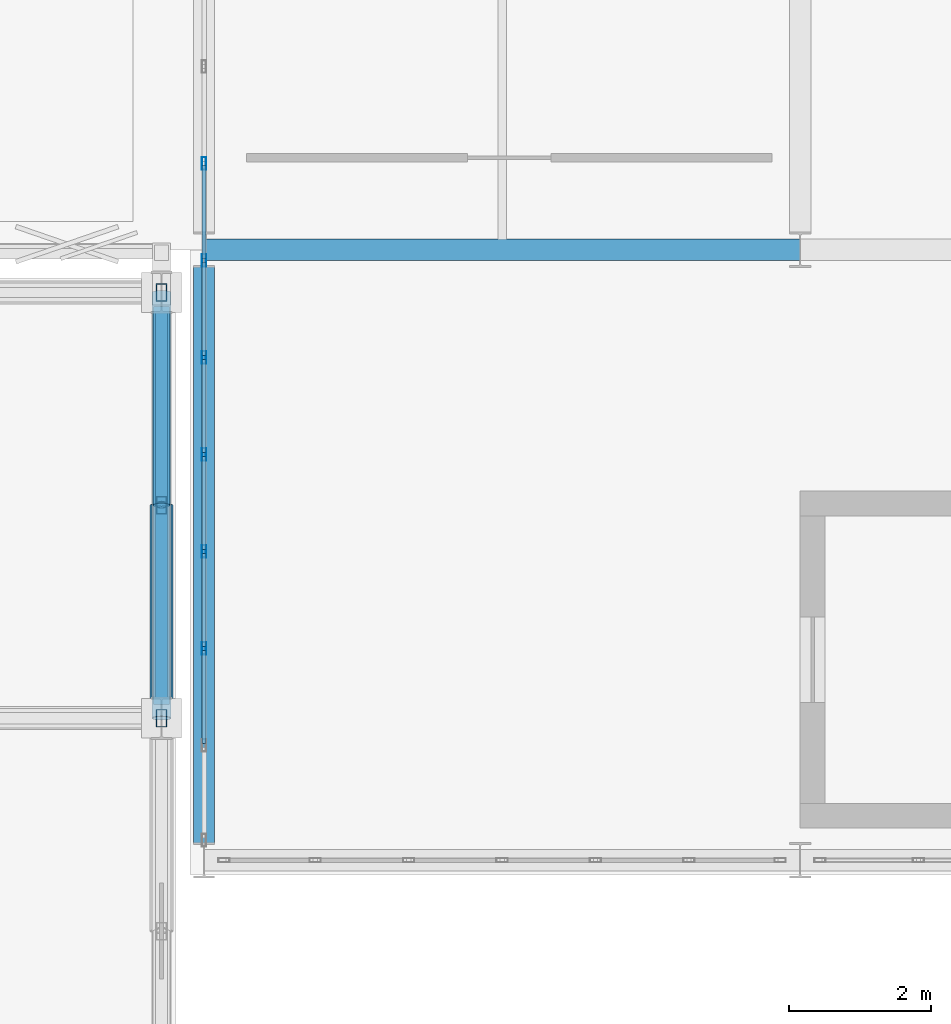
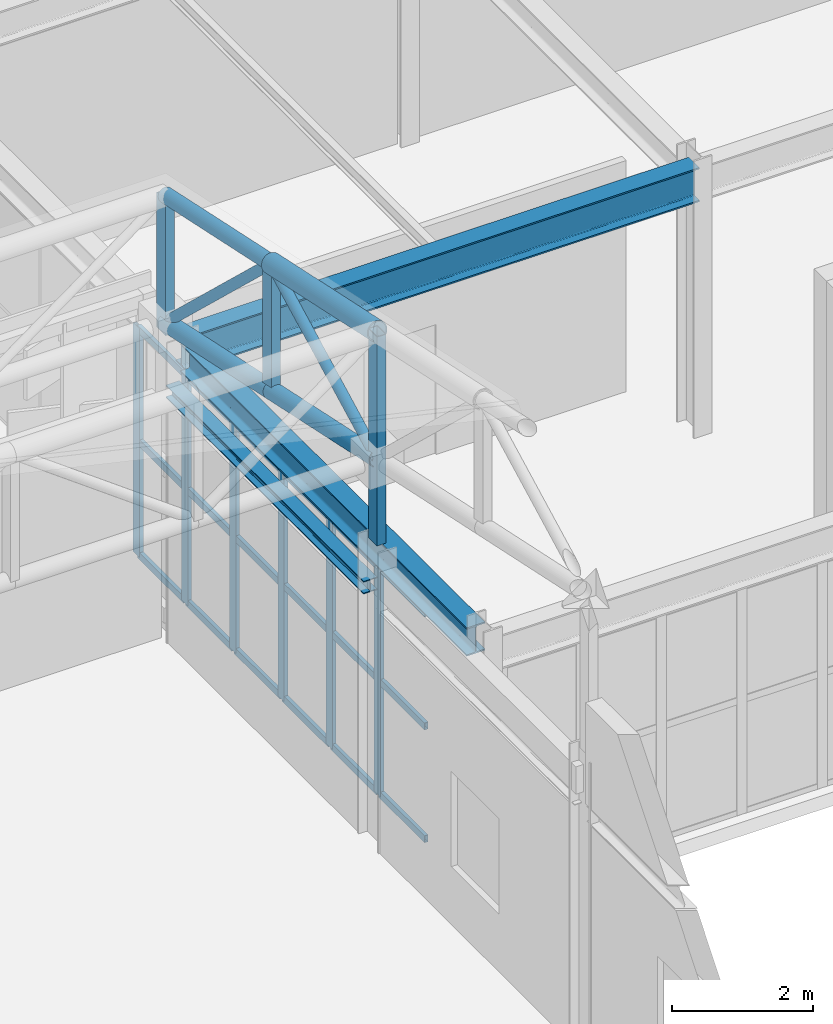
# One storey, part 27 of 112: 33 members, 3 beams, 1 element without a shape of its own.
"""IFC4 building model written with IfcOpenShell, lengths in metres."""

from ifc_helpers import new_model, si_unit, direction, frame, origin, origin_2d, place, context, subcontext, project, spatial, hollow_rectangle, hollow_circle, i_section, extrude, material, material_profile, profile_set, type_object, element, aggregate, save


model = new_model("IFC4")

# Units and contexts
model_context = context("Model", 3, precision=1e-05, world=origin(), true_north=direction((0.0, 1.0)))
body_context = subcontext(model_context, "Body", "Model", "MODEL_VIEW")
ifc_project = project(units=[si_unit("LENGTHUNIT", "METRE"), si_unit("AREAUNIT", "SQUARE_METRE"), si_unit("VOLUMEUNIT", "CUBIC_METRE"), si_unit("PLANEANGLEUNIT", "RADIAN"), si_unit("MASSUNIT", "GRAM", prefix="KILO")], contexts=[model_context])

# Site, building, storey
site_placement = place(None, origin())
site = spatial("IfcSite", under=ifc_project, at=site_placement, CompositionType="ELEMENT")
building_placement = place(site_placement, origin())
building = spatial("IfcBuilding", under=site, at=building_placement, Name="Kaldris Quays Convention Centre", CompositionType="ELEMENT")
storey_placement = place(building_placement, frame((0.0, 0.0, 16.800048828125)))
storey = spatial("IfcBuildingStorey", under=building, at=storey_placement, Name="L03", CompositionType="ELEMENT", Elevation=16.800048828125)

# Curtain wall, members
ifc_material_1 = material(Name="Anodized aluminium AW-6060 and triple glazing", Category="aluminium")
curtain_wall_type = type_object("IfcCurtainWallType", Name="UNITISED CURTAIN WALL CW04", PredefinedType="NOTDEFINED", material=ifc_material_1)
curtain_wall_placement = place(storey_placement, origin())
curtain_wall = element("IfcCurtainWall", 1, at=curtain_wall_placement, inside=storey, type_object=curtain_wall_type, Name="L03 Unitised Curtain Wall CW04 128", PredefinedType="NOTDEFINED")
ifc_material_2 = material(Name="Anodized aluminium AW-6060", Category="aluminium")
ifc_material_profile_1 = material_profile(ifc_material_2, hollow_rectangle(XDim=0.06005859375, YDim=0.179931640625, WallThickness=0.0048828125, at=origin_2d()), Name="RHS 180x60x5")
ifc_profile_set_1 = profile_set([ifc_material_profile_1], Name="Anodized aluminium AW-6060")
member_type_1 = type_object("IfcMemberType", Name="CURTAIN MULLION CWM2", PredefinedType="MULLION", material=ifc_profile_set_1)
member_1_placement = place(storey_placement, frame((83.60009765625, 40.9833984375, 0.0), z_axis=(0.0, 0.0, 1.0), x_axis=(-1.0, 0.0, 0.0)))
member_1 = element("IfcMember", 2, at=member_1_placement, type_object=member_type_1, Name="CW04 mullion 3", PredefinedType="MULLION", context=body_context, shape_type="SweptSolid", body=[
    extrude(hollow_rectangle(XDim=0.06005859375, YDim=0.179931640625, WallThickness=0.0048828125, at=origin_2d()), origin(), (0.0, 0.0, 1.0), 3.96484375),
])
member_2_placement = place(storey_placement, frame((83.60009765625, 42.35009765625, 0.0), z_axis=(0.0, 0.0, 1.0), x_axis=(-1.0, 0.0, 0.0)))
member_2 = element("IfcMember", 3, at=member_2_placement, type_object=member_type_1, Name="CW04 mullion 4", PredefinedType="MULLION", context=body_context, shape_type="SweptSolid", body=[
    extrude(hollow_rectangle(XDim=0.06005859375, YDim=0.179931640625, WallThickness=0.0048828125, at=origin_2d()), origin(), (0.0, 0.0, 1.0), 3.96484375),
])
member_3_placement = place(storey_placement, frame((83.60009765625, 43.716552734375, 0.0), z_axis=(0.0, 0.0, 1.0), x_axis=(-1.0, 0.0, 0.0)))
member_3 = element("IfcMember", 4, at=member_3_placement, type_object=member_type_1, Name="CW04 mullion 5", PredefinedType="MULLION", context=body_context, shape_type="SweptSolid", body=[
    extrude(hollow_rectangle(XDim=0.06005859375, YDim=0.179931640625, WallThickness=0.0048828125, at=origin_2d()), origin(), (0.0, 0.0, 1.0), 3.96484375),
])
member_4_placement = place(storey_placement, frame((83.60009765625, 45.083251953125, 0.0), z_axis=(0.0, 0.0, 1.0), x_axis=(-1.0, 0.0, 0.0)))
member_4 = element("IfcMember", 5, at=member_4_placement, type_object=member_type_1, Name="CW04 mullion 6", PredefinedType="MULLION", context=body_context, shape_type="SweptSolid", body=[
    extrude(hollow_rectangle(XDim=0.06005859375, YDim=0.179931640625, WallThickness=0.0048828125, at=origin_2d()), origin(), (0.0, 0.0, 1.0), 3.96484375),
])
member_5_placement = place(storey_placement, frame((83.60009765625, 46.449951171875, 0.0), z_axis=(0.0, 0.0, 1.0), x_axis=(-1.0, 0.0, 0.0)))
member_5 = element("IfcMember", 6, at=member_5_placement, type_object=member_type_1, Name="CW04 mullion 7", PredefinedType="MULLION", context=body_context, shape_type="SweptSolid", body=[
    extrude(hollow_rectangle(XDim=0.06005859375, YDim=0.179931640625, WallThickness=0.0048828125, at=origin_2d()), origin(), (0.0, 0.0, 1.0), 3.96484375),
])
member_6_placement = place(storey_placement, frame((83.60009765625, 47.816650390625, 0.0), z_axis=(0.0, 0.0, 1.0), x_axis=(-1.0, 0.0, 0.0)))
member_6 = element("IfcMember", 7, at=member_6_placement, type_object=member_type_1, Name="CW04 mullion 8", PredefinedType="MULLION", context=body_context, shape_type="SweptSolid", body=[
    extrude(hollow_rectangle(XDim=0.06005859375, YDim=0.179931640625, WallThickness=0.0048828125, at=origin_2d()), origin(), (0.0, 0.0, 1.0), 3.96484375),
])
ifc_material_profile_2 = material_profile(ifc_material_2, hollow_rectangle(XDim=0.06005859375, YDim=0.1201171875, WallThickness=0.00390625, at=origin_2d()), Name="RHS 120x60x4")
ifc_profile_set_2 = profile_set([ifc_material_profile_2], Name="Anodized aluminium AW-6060")
member_type_2 = type_object("IfcMemberType", Name="CURTAIN TRANSOM CWT1", PredefinedType="USERDEFINED", material=ifc_profile_set_2)
member_7_placement = place(storey_placement, frame((83.60009765625, 39.646728515625, 0.030029296875), z_axis=(0.0, 1.0, 0.0), x_axis=(-1.0, 0.0, 0.0)))
member_7 = element("IfcMember", 8, at=member_7_placement, type_object=member_type_2, Name="CW04 transom 2.1", ObjectType="TRANSOM", PredefinedType="USERDEFINED", context=body_context, shape_type="SweptSolid", body=[
    extrude(hollow_rectangle(XDim=0.06005859375, YDim=0.1201171875, WallThickness=0.00390625, at=origin_2d()), origin(), (0.0, 0.0, 1.0), 1.306640625),
])
member_8_placement = place(storey_placement, frame((83.60009765625, 39.646728515625, 1.98193359375), z_axis=(0.0, 1.0, 0.0), x_axis=(-1.0, 0.0, 0.0)))
member_8 = element("IfcMember", 9, at=member_8_placement, type_object=member_type_2, Name="CW04 transom 2.2", ObjectType="TRANSOM", PredefinedType="USERDEFINED", context=body_context, shape_type="SweptSolid", body=[
    extrude(hollow_rectangle(XDim=0.06005859375, YDim=0.1201171875, WallThickness=0.00390625, at=origin_2d()), origin(), (0.0, 0.0, 1.0), 1.306640625),
])
member_9_placement = place(storey_placement, frame((83.60009765625, 39.646728515625, 3.93505859375), z_axis=(0.0, 1.0, 0.0), x_axis=(-1.0, 0.0, 0.0)))
member_9 = element("IfcMember", 10, at=member_9_placement, type_object=member_type_2, Name="CW04 transom 2.3", ObjectType="TRANSOM", PredefinedType="USERDEFINED", context=body_context, shape_type="SweptSolid", body=[
    extrude(hollow_rectangle(XDim=0.06005859375, YDim=0.1201171875, WallThickness=0.00390625, at=origin_2d()), origin(), (0.0, 0.0, 1.0), 1.306640625),
])
member_10_placement = place(storey_placement, frame((83.60009765625, 41.013427734375, 0.030029296875), z_axis=(0.0, 1.0, 0.0), x_axis=(-1.0, 0.0, 0.0)))
member_10 = element("IfcMember", 11, at=member_10_placement, type_object=member_type_2, Name="CW04 transom 3.1", ObjectType="TRANSOM", PredefinedType="USERDEFINED", context=body_context, shape_type="SweptSolid", body=[
    extrude(hollow_rectangle(XDim=0.06005859375, YDim=0.1201171875, WallThickness=0.00390625, at=origin_2d()), origin(), (0.0, 0.0, 1.0), 1.306640625),
])
member_11_placement = place(storey_placement, frame((83.60009765625, 41.013427734375, 1.98193359375), z_axis=(0.0, 1.0, 0.0), x_axis=(-1.0, 0.0, 0.0)))
member_11 = element("IfcMember", 12, at=member_11_placement, type_object=member_type_2, Name="CW04 transom 3.2", ObjectType="TRANSOM", PredefinedType="USERDEFINED", context=body_context, shape_type="SweptSolid", body=[
    extrude(hollow_rectangle(XDim=0.06005859375, YDim=0.1201171875, WallThickness=0.00390625, at=origin_2d()), origin(), (0.0, 0.0, 1.0), 1.306640625),
])
member_12_placement = place(storey_placement, frame((83.60009765625, 41.013427734375, 3.93505859375), z_axis=(0.0, 1.0, 0.0), x_axis=(-1.0, 0.0, 0.0)))
member_12 = element("IfcMember", 13, at=member_12_placement, type_object=member_type_2, Name="CW04 transom 3.3", ObjectType="TRANSOM", PredefinedType="USERDEFINED", context=body_context, shape_type="SweptSolid", body=[
    extrude(hollow_rectangle(XDim=0.06005859375, YDim=0.1201171875, WallThickness=0.00390625, at=origin_2d()), origin(), (0.0, 0.0, 1.0), 1.306640625),
])
member_13_placement = place(storey_placement, frame((83.60009765625, 42.3798828125, 0.030029296875), z_axis=(0.0, 1.0, 0.0), x_axis=(-1.0, 0.0, 0.0)))
member_13 = element("IfcMember", 14, at=member_13_placement, type_object=member_type_2, Name="CW04 transom 4.1", ObjectType="TRANSOM", PredefinedType="USERDEFINED", context=body_context, shape_type="SweptSolid", body=[
    extrude(hollow_rectangle(XDim=0.06005859375, YDim=0.1201171875, WallThickness=0.00390625, at=origin_2d()), origin(), (0.0, 0.0, 1.0), 1.306884765625),
])
member_14_placement = place(storey_placement, frame((83.60009765625, 42.3798828125, 1.98193359375), z_axis=(0.0, 1.0, 0.0), x_axis=(-1.0, 0.0, 0.0)))
member_14 = element("IfcMember", 15, at=member_14_placement, type_object=member_type_2, Name="CW04 transom 4.2", ObjectType="TRANSOM", PredefinedType="USERDEFINED", context=body_context, shape_type="SweptSolid", body=[
    extrude(hollow_rectangle(XDim=0.06005859375, YDim=0.1201171875, WallThickness=0.00390625, at=origin_2d()), origin(), (0.0, 0.0, 1.0), 1.306884765625),
])
member_15_placement = place(storey_placement, frame((83.60009765625, 42.3798828125, 3.93505859375), z_axis=(0.0, 1.0, 0.0), x_axis=(-1.0, 0.0, 0.0)))
member_15 = element("IfcMember", 16, at=member_15_placement, type_object=member_type_2, Name="CW04 transom 4.3", ObjectType="TRANSOM", PredefinedType="USERDEFINED", context=body_context, shape_type="SweptSolid", body=[
    extrude(hollow_rectangle(XDim=0.06005859375, YDim=0.1201171875, WallThickness=0.00390625, at=origin_2d()), origin(), (0.0, 0.0, 1.0), 1.306884765625),
])
member_16_placement = place(storey_placement, frame((83.60009765625, 43.74658203125, 0.030029296875), z_axis=(0.0, 1.0, 0.0), x_axis=(-1.0, 0.0, 0.0)))
member_16 = element("IfcMember", 17, at=member_16_placement, type_object=member_type_2, Name="CW04 transom 5.1", ObjectType="TRANSOM", PredefinedType="USERDEFINED", context=body_context, shape_type="SweptSolid", body=[
    extrude(hollow_rectangle(XDim=0.06005859375, YDim=0.1201171875, WallThickness=0.00390625, at=origin_2d()), origin(), (0.0, 0.0, 1.0), 1.306640625),
])
member_17_placement = place(storey_placement, frame((83.60009765625, 43.74658203125, 1.98193359375), z_axis=(0.0, 1.0, 0.0), x_axis=(-1.0, 0.0, 0.0)))
member_17 = element("IfcMember", 18, at=member_17_placement, type_object=member_type_2, Name="CW04 transom 5.2", ObjectType="TRANSOM", PredefinedType="USERDEFINED", context=body_context, shape_type="SweptSolid", body=[
    extrude(hollow_rectangle(XDim=0.06005859375, YDim=0.1201171875, WallThickness=0.00390625, at=origin_2d()), origin(), (0.0, 0.0, 1.0), 1.306640625),
])
member_18_placement = place(storey_placement, frame((83.60009765625, 43.74658203125, 3.93505859375), z_axis=(0.0, 1.0, 0.0), x_axis=(-1.0, 0.0, 0.0)))
member_18 = element("IfcMember", 19, at=member_18_placement, type_object=member_type_2, Name="CW04 transom 5.3", ObjectType="TRANSOM", PredefinedType="USERDEFINED", context=body_context, shape_type="SweptSolid", body=[
    extrude(hollow_rectangle(XDim=0.06005859375, YDim=0.1201171875, WallThickness=0.00390625, at=origin_2d()), origin(), (0.0, 0.0, 1.0), 1.306640625),
])
member_19_placement = place(storey_placement, frame((83.60009765625, 45.11328125, 0.030029296875), z_axis=(0.0, 1.0, 0.0), x_axis=(-1.0, 0.0, 0.0)))
member_19 = element("IfcMember", 20, at=member_19_placement, type_object=member_type_2, Name="CW04 transom 6.1", ObjectType="TRANSOM", PredefinedType="USERDEFINED", context=body_context, shape_type="SweptSolid", body=[
    extrude(hollow_rectangle(XDim=0.06005859375, YDim=0.1201171875, WallThickness=0.00390625, at=origin_2d()), origin(), (0.0, 0.0, 1.0), 1.306640625),
])
member_20_placement = place(storey_placement, frame((83.60009765625, 45.11328125, 1.98193359375), z_axis=(0.0, 1.0, 0.0), x_axis=(-1.0, 0.0, 0.0)))
member_20 = element("IfcMember", 21, at=member_20_placement, type_object=member_type_2, Name="CW04 transom 6.2", ObjectType="TRANSOM", PredefinedType="USERDEFINED", context=body_context, shape_type="SweptSolid", body=[
    extrude(hollow_rectangle(XDim=0.06005859375, YDim=0.1201171875, WallThickness=0.00390625, at=origin_2d()), origin(), (0.0, 0.0, 1.0), 1.306640625),
])
member_21_placement = place(storey_placement, frame((83.60009765625, 45.11328125, 3.93505859375), z_axis=(0.0, 1.0, 0.0), x_axis=(-1.0, 0.0, 0.0)))
member_21 = element("IfcMember", 22, at=member_21_placement, type_object=member_type_2, Name="CW04 transom 6.3", ObjectType="TRANSOM", PredefinedType="USERDEFINED", context=body_context, shape_type="SweptSolid", body=[
    extrude(hollow_rectangle(XDim=0.06005859375, YDim=0.1201171875, WallThickness=0.00390625, at=origin_2d()), origin(), (0.0, 0.0, 1.0), 1.306640625),
])
member_22_placement = place(storey_placement, frame((83.60009765625, 46.47998046875, 0.030029296875), z_axis=(0.0, 1.0, 0.0), x_axis=(-1.0, 0.0, 0.0)))
member_22 = element("IfcMember", 23, at=member_22_placement, type_object=member_type_2, Name="CW04 transom 7.1", ObjectType="TRANSOM", PredefinedType="USERDEFINED", context=body_context, shape_type="SweptSolid", body=[
    extrude(hollow_rectangle(XDim=0.06005859375, YDim=0.1201171875, WallThickness=0.00390625, at=origin_2d()), origin(), (0.0, 0.0, 1.0), 1.306640625),
])
member_23_placement = place(storey_placement, frame((83.60009765625, 46.47998046875, 1.98193359375), z_axis=(0.0, 1.0, 0.0), x_axis=(-1.0, 0.0, 0.0)))
member_23 = element("IfcMember", 24, at=member_23_placement, type_object=member_type_2, Name="CW04 transom 7.2", ObjectType="TRANSOM", PredefinedType="USERDEFINED", context=body_context, shape_type="SweptSolid", body=[
    extrude(hollow_rectangle(XDim=0.06005859375, YDim=0.1201171875, WallThickness=0.00390625, at=origin_2d()), origin(), (0.0, 0.0, 1.0), 1.306640625),
])
member_24_placement = place(storey_placement, frame((83.60009765625, 46.47998046875, 3.93505859375), z_axis=(0.0, 1.0, 0.0), x_axis=(-1.0, 0.0, 0.0)))
member_24 = element("IfcMember", 25, at=member_24_placement, type_object=member_type_2, Name="CW04 transom 7.3", ObjectType="TRANSOM", PredefinedType="USERDEFINED", context=body_context, shape_type="SweptSolid", body=[
    extrude(hollow_rectangle(XDim=0.06005859375, YDim=0.1201171875, WallThickness=0.00390625, at=origin_2d()), origin(), (0.0, 0.0, 1.0), 1.306640625),
])
aggregate(curtain_wall, [member_1, member_2, member_3, member_4, member_5, member_6, member_7, member_8, member_9, member_10, member_11, member_12, member_13, member_14, member_15, member_16, member_17, member_18, member_19, member_20, member_21, member_22, member_23, member_24])

# Beams
ifc_material_3 = material(Name="Steel S355J2", Category="steel")
ifc_material_profile_3 = material_profile(ifc_material_3, i_section(OverallWidth=0.300048828125, OverallDepth=0.590087890625, WebThickness=0.012939453125, FlangeThickness=0.02490234375, FilletRadius=0.027099609375, at=origin_2d()), Name="HEA 600")
ifc_profile_set_3 = profile_set([ifc_material_profile_3], Name="Steel S355J2")
beam_type_1 = type_object("IfcBeamType", Name="STRUCTURAL BEAM BM08", PredefinedType="BEAM", material=ifc_profile_set_3)
beam_1_placement = place(storey_placement, frame((83.601318359375, 46.60009765625, 4.284912109375), z_axis=(1.0, 0.0, 0.0), x_axis=(0.0, 1.0, 0.0)))
element("IfcBeam", 26, at=beam_1_placement, inside=storey, type_object=beam_type_1, Name="L03 Girder BM08 10", PredefinedType="BEAM", context=body_context, shape_type="SweptSolid", body=[
    extrude(i_section(OverallWidth=0.300048828125, OverallDepth=0.590087890625, WebThickness=0.012939453125, FlangeThickness=0.02490234375, FilletRadius=0.027099609375, at=origin_2d()), origin(), (0.0, 0.0, 1.0), 8.3974609375),
])
ifc_material_profile_4 = material_profile(ifc_material_3, i_section(OverallWidth=0.300048828125, OverallDepth=0.489990234375, WebThickness=0.011962890625, FlangeThickness=0.02294921875, FilletRadius=0.027099609375, at=origin_2d()), Name="HEA 500")
ifc_profile_set_4 = profile_set([ifc_material_profile_4], Name="Steel S355J2")
beam_type_2 = type_object("IfcBeamType", Name="STRUCTURAL BEAM BM09", PredefinedType="BEAM", material=ifc_profile_set_4)
beam_2_placement = place(storey_placement, frame((83.60009765625, 38.243896484375, 4.3369140625), z_axis=(0.0, 1.0, 0.0), x_axis=(-1.0, 0.0, 0.0)))
element("IfcBeam", 27, at=beam_2_placement, inside=storey, type_object=beam_type_2, Name="L03 Girder BM09 56", PredefinedType="BEAM", context=body_context, shape_type="SweptSolid", body=[
    extrude(i_section(OverallWidth=0.300048828125, OverallDepth=0.489990234375, WebThickness=0.011962890625, FlangeThickness=0.02294921875, FilletRadius=0.027099609375, at=origin_2d()), origin(), (0.0, 0.0, 1.0), 8.112060546875),
])
ifc_material_profile_5 = material_profile(ifc_material_3, i_section(OverallWidth=0.219970703125, OverallDepth=0.219970703125, WebThickness=0.009521484375, FlangeThickness=0.01611328125, FilletRadius=0.01806640625, at=origin_2d()), Name="HEB 220")
ifc_profile_set_5 = profile_set([ifc_material_profile_5], Name="Steel S355J2")
beam_type_3 = type_object("IfcBeamType", Name="STRUCTURAL BEAM SP05", PredefinedType="SPANDREL", material=ifc_profile_set_5)
beam_3_placement = place(storey_placement, frame((83.0, 40.195068359375, 4.2900390625), z_axis=(0.0, 1.0, 0.0), x_axis=(-1.0, 0.0, 0.0)))
element("IfcBeam", 28, at=beam_3_placement, inside=storey, type_object=beam_type_3, Name="L03 Perimeter Wall-Bearing Spandrel SP05 77", PredefinedType="SPANDREL", context=body_context, shape_type="SweptSolid", body=[
    extrude(i_section(OverallWidth=0.219970703125, OverallDepth=0.219970703125, WebThickness=0.009521484375, FlangeThickness=0.01611328125, FilletRadius=0.01806640625, at=origin_2d()), origin(), (0.0, 0.0, 1.0), 5.60986328125),
])

# Members
ifc_material_4 = material(Name="Steel S355J2H", Category="steel")
ifc_material_profile_6 = material_profile(ifc_material_4, hollow_circle(Radius=0.161865234375, WallThickness=0.01611328125, at=origin_2d()), Name="CHS 323.9x16")
ifc_profile_set_6 = profile_set([ifc_material_profile_6], Name="Steel S355J2H")
member_type_3 = type_object("IfcMemberType", Name="STRUCTURAL MEMBER SC03", PredefinedType="CHORD", material=ifc_profile_set_6)
member_25_placement = place(storey_placement, frame((83.0, 40.0, 8.810546875), z_axis=(0.0, 0.977983741211, -0.20868110103), x_axis=(-1.0, 0.0, 0.0)))
element("IfcMember", 29, at=member_25_placement, inside=storey, type_object=member_type_3, Name="SF-V3 Top Chord Y 184", PredefinedType="CHORD", context=body_context, shape_type="SweptSolid", body=[
    extrude(hollow_circle(Radius=0.161865234375, WallThickness=0.01611328125, at=origin_2d()), origin(), (0.0, 0.0, 1.0), 3.067626953125),
])
ifc_material_profile_7 = material_profile(ifc_material_4, hollow_circle(Radius=0.136474609375, WallThickness=0.012451171875, at=origin_2d()), Name="CHS 273x12.5")
ifc_profile_set_7 = profile_set([ifc_material_profile_7], Name="Steel S355J2H")
member_type_4 = type_object("IfcMemberType", Name="STRUCTURAL MEMBER SC04", PredefinedType="CHORD", material=ifc_profile_set_7)
for number, where, z_axis, x_axis, name in (
    (30, (83.0, 40.0, 6.6103515625), (0.0, 0.977999981478, -0.208604976518), (-1.0, 0.0, 0.0), "SF-V3 Bottom Chord Y 184"),
    (31, (83.0, 43.0, 5.970458984375), (0.0, 0.977999981478, -0.208604976518), (-1.0, 0.0, 0.0), "SF-V3 Bottom Chord Y 185"),
):
    element("IfcMember", number, at=place(storey_placement, frame(where, z_axis=z_axis, x_axis=x_axis)), inside=storey, type_object=member_type_4, Name=name, PredefinedType="CHORD", context=body_context, shape_type="SweptSolid", body=[
        extrude(hollow_circle(Radius=0.136474609375, WallThickness=0.012451171875, at=origin_2d()), origin(), (0.0, 0.0, 1.0), 3.0673828125),
    ])
ifc_material_profile_8 = material_profile(ifc_material_4, hollow_circle(Radius=0.122314453125, WallThickness=0.010009765625, at=origin_2d()), Name="CHS 244.5x10")
ifc_profile_set_8 = profile_set([ifc_material_profile_8], Name="Steel S355J2H")
member_type_5 = type_object("IfcMemberType", Name="STRUCTURAL MEMBER SC05", PredefinedType="CHORD", material=ifc_profile_set_8)
member_26_placement = place(storey_placement, frame((83.0, 43.0, 8.17041015625), z_axis=(0.0, 0.977999981478, -0.208604976518), x_axis=(-1.0, 0.0, 0.0)))
element("IfcMember", 32, at=member_26_placement, inside=storey, type_object=member_type_5, Name="SF-V3 Top Chord Y 185", PredefinedType="CHORD", context=body_context, shape_type="SweptSolid", body=[
    extrude(hollow_circle(Radius=0.122314453125, WallThickness=0.010009765625, at=origin_2d()), origin(), (0.0, 0.0, 1.0), 3.0673828125),
])
ifc_material_profile_9 = material_profile(ifc_material_4, hollow_circle(Radius=0.084228515625, WallThickness=0.008056640625, at=origin_2d()), Name="CHS 168.3x8")
ifc_profile_set_9 = profile_set([ifc_material_profile_9], Name="Steel S355J2H")
member_type_6 = type_object("IfcMemberType", Name="STRUCTURAL MEMBER SWB2", PredefinedType="BRACE", material=ifc_profile_set_9)
member_27_placement = place(storey_placement, frame((83.0, 40.0, 6.6103515625), z_axis=(0.0, 0.887209708306, 0.461366376634), x_axis=(-1.0, 0.0, 0.0)))
element("IfcMember", 33, at=member_27_placement, inside=storey, type_object=member_type_6, Name="SF-V3 Web Diagonal Y 184", PredefinedType="BRACE", context=body_context, shape_type="SweptSolid", body=[
    extrude(hollow_circle(Radius=0.084228515625, WallThickness=0.008056640625, at=origin_2d()), origin(), (0.0, 0.0, 1.0), 3.38134765625),
])
member_28_placement = place(storey_placement, frame((83.0, 46.0, 5.33056640625), z_axis=(0.0, -0.72622595523, 0.687456080016), x_axis=(1.0, 0.0, 0.0)))
element("IfcMember", 34, at=member_28_placement, inside=storey, type_object=member_type_6, Name="SF-V3 Web Diagonal Y 185", PredefinedType="BRACE", context=body_context, shape_type="SweptSolid", body=[
    extrude(hollow_circle(Radius=0.084228515625, WallThickness=0.008056640625, at=origin_2d()), origin(), (0.0, 0.0, 1.0), 4.130859375),
])
ifc_material_profile_10 = material_profile(ifc_material_4, hollow_rectangle(XDim=0.14990234375, YDim=0.25, WallThickness=0.010009765625, at=origin_2d()), Name="RHS 250x150x10")
ifc_profile_set_10 = profile_set([ifc_material_profile_10], Name="Steel S355J2H")
member_type_7 = type_object("IfcMemberType", Name="STRUCTURAL MEMBER TTV1", PredefinedType="POST", material=ifc_profile_set_10)
member_29_placement = place(storey_placement, frame((83.0, 40.0, 5.19384765625), z_axis=(0.0, 0.0, 1.0), x_axis=(1.0, 0.0, 0.0)))
element("IfcMember", 35, at=member_29_placement, inside=storey, type_object=member_type_7, Name="SF-V3 Space-Frame Post 156", PredefinedType="POST", context=body_context, shape_type="SweptSolid", body=[
    extrude(hollow_rectangle(XDim=0.14990234375, YDim=0.25, WallThickness=0.010009765625, at=origin_2d()), origin(), (0.0, 0.0, 1.0), 3.61669921875),
])
member_30_placement = place(storey_placement, frame((83.0, 43.0, 5.970458984375), z_axis=(0.0, 0.0, 1.0), x_axis=(1.0, 0.0, 0.0)))
element("IfcMember", 36, at=member_30_placement, inside=storey, type_object=member_type_7, Name="SF-V3 Space-Frame Post 157", PredefinedType="POST", context=body_context, shape_type="SweptSolid", body=[
    extrude(hollow_rectangle(XDim=0.14990234375, YDim=0.25, WallThickness=0.010009765625, at=origin_2d()), origin(), (0.0, 0.0, 1.0), 2.199951171875),
])
member_31_placement = place(storey_placement, frame((83.0, 46.0, 5.19384765625), z_axis=(0.0, 0.0, 1.0), x_axis=(1.0, 0.0, 0.0)))
element("IfcMember", 37, at=member_31_placement, inside=storey, type_object=member_type_7, Name="SF-V3 Space-Frame Post 158", PredefinedType="POST", context=body_context, shape_type="SweptSolid", body=[
    extrude(hollow_rectangle(XDim=0.14990234375, YDim=0.25, WallThickness=0.010009765625, at=origin_2d()), origin(), (0.0, 0.0, 1.0), 2.336669921875),
])

save(model, "model.ifc")
